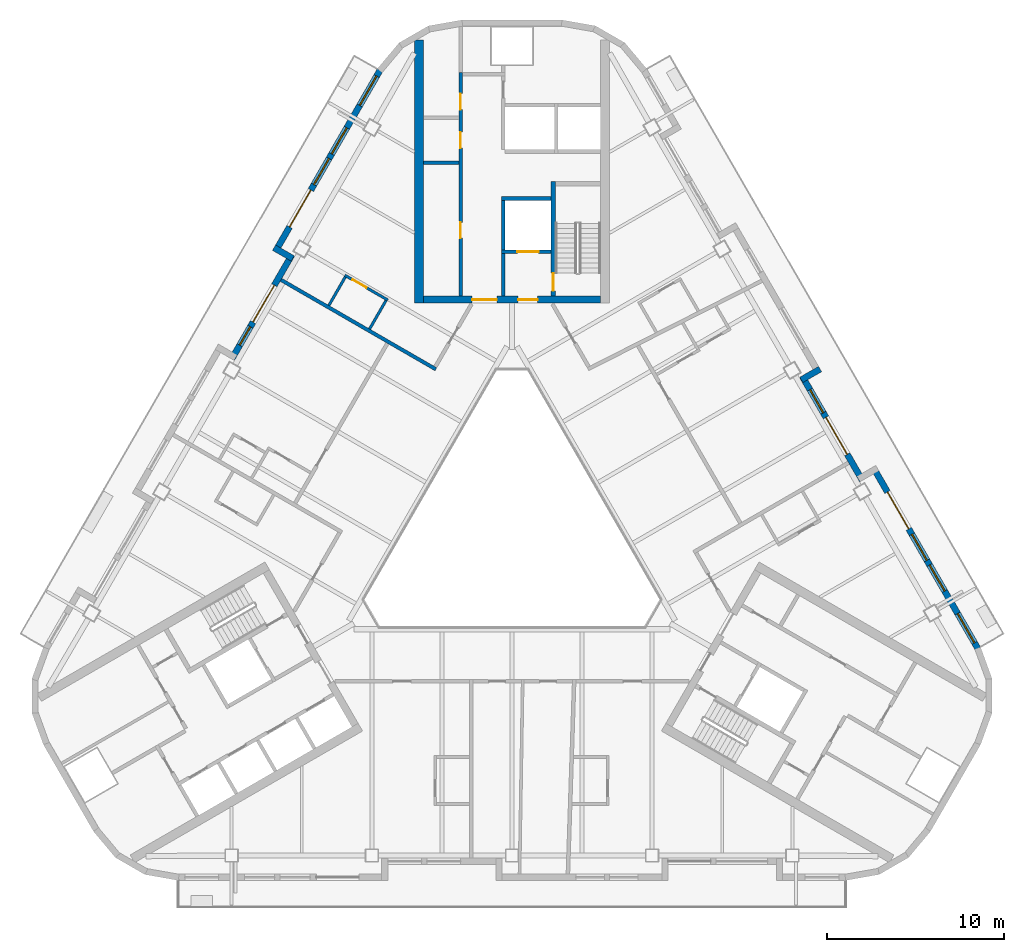
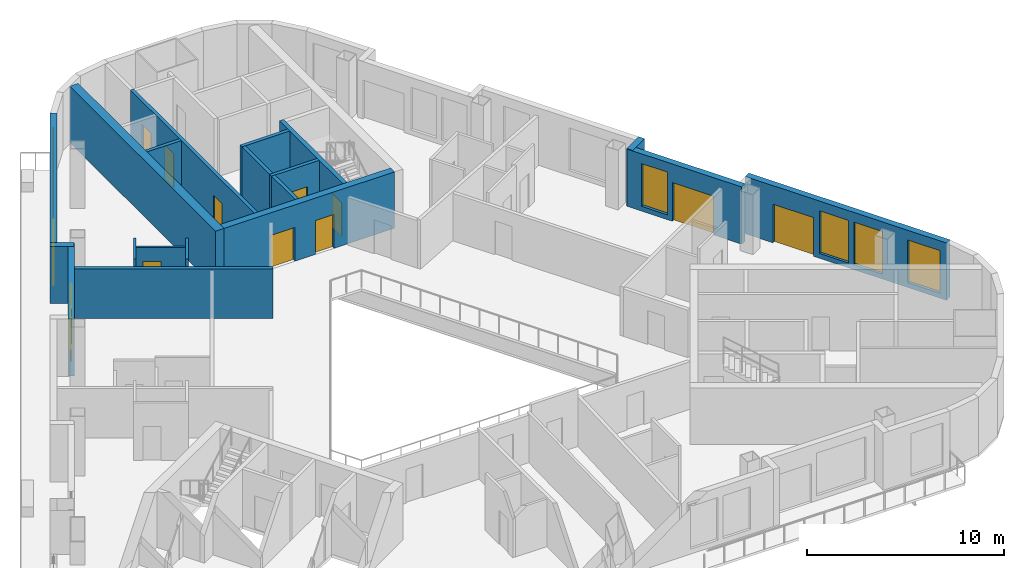
# One storey, part 6 of 14: 19 walls, 12 doors, 8 windows, 20 openings.
"""IFC4 building model written with IfcOpenShell, lengths in metres."""

from ifc_helpers import new_model, si_unit, direction, frame, frame_2d, origin, place, context, subcontext, project, spatial, rectangle, extrude, material, layer, layer_set, type_object, element, fill, save


model = new_model("IFC4")

# Units and contexts
model_context = context("Model", 3, precision=1e-05, world=origin(), true_north=direction((0.0, 1.0)))
body_context = subcontext(model_context, "Body", "Model", "MODEL_VIEW")
ifc_project = project(units=[si_unit("LENGTHUNIT", "METRE"), si_unit("AREAUNIT", "SQUARE_METRE"), si_unit("VOLUMEUNIT", "CUBIC_METRE"), si_unit("PLANEANGLEUNIT", "RADIAN"), si_unit("MASSUNIT", "GRAM", prefix="KILO")], contexts=[model_context])

# Site, building, storey
site_placement = place(None, origin())
site = spatial("IfcSite", under=ifc_project, at=site_placement, CompositionType="ELEMENT")
building_placement = place(site_placement, origin())
building = spatial("IfcBuilding", under=site, at=building_placement, Name="Apuvela Tower Hotel", CompositionType="ELEMENT")
storey_placement = place(building_placement, frame((0.0, 0.0, 209.5)))
storey = spatial("IfcBuildingStorey", under=building, at=storey_placement, Name="L51", CompositionType="ELEMENT", Elevation=209.5)

# Wall, openings, doors
ifc_material_1 = material(Name="Concrete C50/60", Category="concrete")
ifc_layer_1 = layer(ifc_material_1, 0.39990234375)
ifc_layer_set_1 = layer_set([ifc_layer_1], Name="COR-WALL-CORE-400")
wall_type_1 = type_object("IfcWallType", Name="COR-WALL-CORE-400", PredefinedType="SHEAR", material=ifc_layer_set_1)
wall_1_placement = place(storey_placement, frame((5.0, 13.10009765625, 0.0), z_axis=(0.0, 0.0, 1.0), x_axis=(-1.0, 0.0, 0.0)))
wall_1 = element("IfcWall", 1, at=wall_1_placement, inside=storey, type_object=wall_type_1, Name="Core wall N", PredefinedType="SHEAR", context=body_context, shape_type="SweptSolid", body=[
    extrude(rectangle(XDim=10.0, YDim=0.39990234375, at=frame_2d((5.0, 0.0))), origin(), (0.0, 0.0, 1.0), 3.5),
])
opening_1_placement = place(wall_1_placement, frame((3.550048828125, 0.0, 0.0)))
opening_1 = element("IfcOpeningElement", 2, at=opening_1_placement, cuts=wall_1, Name="Opening N-FD", PredefinedType="OPENING", context=body_context, shape_type="SweptSolid", body=[
    extrude(rectangle(XDim=1.10009765625, YDim=2.10009765625, at=frame_2d((0.550048828125, 1.050048828125))), frame((0.0, 0.2099609375, 0.0), z_axis=(0.0, -1.0, 0.0), x_axis=(1.0, 0.0, 0.0)), (0.0, 0.0, 1.0), 0.419921875),
])
opening_2_placement = place(wall_1_placement, frame((5.85009765625, 0.0, 0.0)))
opening_2 = element("IfcOpeningElement", 3, at=opening_2_placement, cuts=wall_1, Name="Opening N-GD", PredefinedType="OPENING", context=body_context, shape_type="SweptSolid", body=[
    extrude(rectangle(XDim=1.39990234375, YDim=2.10009765625, at=frame_2d((0.699951171875, 1.050048828125))), frame((0.0, 0.2099609375, 0.0), z_axis=(0.0, -1.0, 0.0), x_axis=(1.0, 0.0, 0.0)), (0.0, 0.0, 1.0), 0.419921875),
])
ifc_material_2 = material(Name="Steel fire door, powder coated", Category="steel")
door_type_1 = type_object("IfcDoorType", Name="COR-FD-1100", OperationType="NOTDEFINED", PredefinedType="DOOR", material=ifc_material_2)
door_1_placement = place(opening_1_placement, frame((1.10009765625, 0.0, 0.0), z_axis=(0.0, 0.0, 1.0), x_axis=(-1.0, 0.0, 0.0)))
door_1 = element("IfcDoor", 4, at=door_1_placement, inside=storey, type_object=door_type_1, Name="Firefighting lobby door N-FD", OperationType="SINGLE_SWING_LEFT", OverallHeight=2.10009765625, OverallWidth=1.10009765625, PredefinedType="DOOR", context=body_context, shape_type="SweptSolid", body=[
    extrude(rectangle(XDim=1.10009765625, YDim=2.10009765625, at=frame_2d((0.550048828125, 1.050048828125))), frame((0.0, 0.02490234375, 0.0), z_axis=(0.0, -1.0, 0.0), x_axis=(1.0, 0.0, 0.0)), (0.0, 0.0, 1.0), 0.050048828125),
])
fill(opening_1, door_1)
ifc_material_3 = material(Name="Glazed steel fire door", Category="steel")
door_type_2 = type_object("IfcDoorType", Name="COR-GD-1400", OperationType="DOUBLE_DOOR_SINGLE_SWING", PredefinedType="DOOR", material=ifc_material_3)
door_2_placement = place(opening_2_placement, frame((1.39990234375, 0.0, 0.0), z_axis=(0.0, 0.0, 1.0), x_axis=(-1.0, 0.0, 0.0)))
door_2 = element("IfcDoor", 5, at=door_2_placement, inside=storey, type_object=door_type_2, Name="Lift lobby door N-GD", OperationType="DOUBLE_DOOR_SINGLE_SWING", OverallHeight=2.10009765625, OverallWidth=1.39990234375, PredefinedType="DOOR", context=body_context, shape_type="SweptSolid", body=[
    extrude(rectangle(XDim=1.39990234375, YDim=2.10009765625, at=frame_2d((0.699951171875, 1.050048828125))), frame((0.0, 0.02490234375, 0.0), z_axis=(0.0, -1.0, 0.0), x_axis=(1.0, 0.0, 0.0)), (0.0, 0.0, 1.0), 0.050048828125),
])
fill(opening_2, door_2)

# Walls
ifc_layer_2 = layer(ifc_material_1, 0.5)
ifc_layer_set_2 = layer_set([ifc_layer_2], Name="COR-WALL-CORE-500")
wall_type_2 = type_object("IfcWallType", Name="COR-WALL-CORE-500", PredefinedType="SHEAR", material=ifc_layer_set_2)
wall_2_placement = place(storey_placement, frame((-5.25, 12.89990234375, 0.0), z_axis=(0.0, 0.0, 1.0), x_axis=(0.0, 1.0, 0.0)))
element("IfcWall", 6, at=wall_2_placement, inside=storey, type_object=wall_type_2, Name="Core wall N", PredefinedType="SHEAR", context=body_context, shape_type="SweptSolid", body=[
    extrude(rectangle(XDim=14.8369140625, YDim=0.5, at=frame_2d((7.41845703125, 0.0))), origin(), (0.0, 0.0, 1.0), 3.5),
])
ifc_layer_3 = layer(ifc_material_1, 0.199951171875)
ifc_layer_set_3 = layer_set([ifc_layer_3], Name="COR-WALL-SHAFT-200")
wall_type_3 = type_object("IfcWallType", Name="COR-WALL-SHAFT-200", PredefinedType="SHEAR", material=ifc_layer_set_3)
wall_3_placement = place(storey_placement, frame((2.199951171875, 18.800048828125, 0.0), z_axis=(0.0, 0.0, 1.0), x_axis=(-1.0, 0.0, 0.0)))
element("IfcWall", 7, at=wall_3_placement, inside=storey, type_object=wall_type_3, Name="Shaft wall N", PredefinedType="SHEAR", context=body_context, shape_type="SweptSolid", body=[
    extrude(rectangle(XDim=2.800048828125, YDim=0.199951171875, at=frame_2d((1.39990234375, 0.0))), origin(), (0.0, 0.0, 1.0), 3.5),
])

# Wall, opening, door
wall_4_placement = place(storey_placement, frame((2.199951171875, 15.800048828125, 0.0), z_axis=(0.0, 0.0, 1.0), x_axis=(-1.0, 0.0, 0.0)))
wall_4 = element("IfcWall", 8, at=wall_4_placement, inside=storey, type_object=wall_type_3, Name="Shaft wall N", PredefinedType="SHEAR", context=body_context, shape_type="SweptSolid", body=[
    extrude(rectangle(XDim=2.800048828125, YDim=0.199951171875, at=frame_2d((1.39990234375, 0.0))), origin(), (0.0, 0.0, 1.0), 3.5),
])
opening_3_placement = place(wall_4_placement, frame((0.699951171875, 0.0, 0.0)))
opening_3 = element("IfcOpeningElement", 9, at=opening_3_placement, cuts=wall_4, Name="Opening N-LD-FS1", PredefinedType="OPENING", context=body_context, shape_type="SweptSolid", body=[
    extrude(rectangle(XDim=1.199951171875, YDim=2.10009765625, at=frame_2d((0.60009765625, 1.050048828125))), frame((0.0, 0.10986328125, 0.0), z_axis=(0.0, -1.0, 0.0), x_axis=(1.0, 0.0, 0.0)), (0.0, 0.0, 1.0), 0.219970703125),
])
ifc_material_4 = material(Name="Stainless steel lift landing door", Category="steel")
door_type_3 = type_object("IfcDoorType", Name="COR-LD-1200", OperationType="DOUBLE_DOOR_SLIDING", PredefinedType="DOOR", material=ifc_material_4)
door_3_placement = place(opening_3_placement, origin())
door_3 = element("IfcDoor", 10, at=door_3_placement, inside=storey, type_object=door_type_3, Name="Lift landing door N-LD-FS1", OperationType="DOUBLE_DOOR_SLIDING", OverallHeight=2.10009765625, OverallWidth=1.199951171875, PredefinedType="DOOR", context=body_context, shape_type="SweptSolid", body=[
    extrude(rectangle(XDim=1.199951171875, YDim=2.10009765625, at=frame_2d((0.60009765625, 1.050048828125))), frame((0.0, 0.02490234375, 0.0), z_axis=(0.0, -1.0, 0.0), x_axis=(1.0, 0.0, 0.0)), (0.0, 0.0, 1.0), 0.050048828125),
])
fill(opening_3, door_3)

# Walls
wall_5_placement = place(storey_placement, frame((-0.5, 15.89990234375, 0.0), z_axis=(0.0, 0.0, 1.0), x_axis=(0.0, 1.0, 0.0)))
element("IfcWall", 11, at=wall_5_placement, inside=storey, type_object=wall_type_3, Name="Shaft wall N", PredefinedType="SHEAR", context=body_context, shape_type="SweptSolid", body=[
    extrude(rectangle(XDim=2.800048828125, YDim=0.199951171875, at=frame_2d((1.39990234375, 0.0))), origin(), (0.0, 0.0, 1.0), 3.5),
])
wall_6_placement = place(storey_placement, frame((-0.5, 13.300048828125, 0.0), z_axis=(0.0, 0.0, 1.0), x_axis=(0.0, 1.0, 0.0)))
element("IfcWall", 12, at=wall_6_placement, inside=storey, type_object=wall_type_3, Name="Shaft wall N", PredefinedType="SHEAR", context=body_context, shape_type="SweptSolid", body=[
    extrude(rectangle(XDim=2.39990234375, YDim=0.199951171875, at=frame_2d((1.199951171875, 0.0))), origin(), (0.0, 0.0, 1.0), 3.5),
])

# Wall, openings, doors
wall_7_placement = place(storey_placement, frame((-2.89990234375, 13.300048828125, 0.0), z_axis=(0.0, 0.0, 1.0), x_axis=(0.0, 1.0, 0.0)))
wall_7 = element("IfcWall", 13, at=wall_7_placement, inside=storey, type_object=wall_type_3, Name="Shaft wall N", PredefinedType="SHEAR", context=body_context, shape_type="SweptSolid", body=[
    extrude(rectangle(XDim=12.599853515625, YDim=0.199951171875, at=frame_2d((6.2998046875, 0.0))), origin(), (0.0, 0.0, 1.0), 3.5),
])
opening_4_placement = place(wall_7_placement, frame((3.260009765625, 0.0, 0.0)))
opening_4 = element("IfcOpeningElement", 14, at=opening_4_placement, cuts=wall_7, Name="Opening N-RE1", PredefinedType="OPENING", context=body_context, shape_type="SweptSolid", body=[
    extrude(rectangle(XDim=0.89990234375, YDim=2.10009765625, at=frame_2d((0.449951171875, 1.050048828125))), frame((0.0, 0.10986328125, 0.0), z_axis=(0.0, -1.0, 0.0), x_axis=(1.0, 0.0, 0.0)), (0.0, 0.0, 1.0), 0.219970703125),
])
opening_5_placement = place(wall_7_placement, frame((8.340087890625, 0.0, 0.0)))
opening_5 = element("IfcOpeningElement", 15, at=opening_5_placement, cuts=wall_7, Name="Opening N-RE4", PredefinedType="OPENING", context=body_context, shape_type="SweptSolid", body=[
    extrude(rectangle(XDim=0.89990234375, YDim=2.10009765625, at=frame_2d((0.449951171875, 1.050048828125))), frame((0.0, 0.10986328125, 0.0), z_axis=(0.0, -1.0, 0.0), x_axis=(1.0, 0.0, 0.0)), (0.0, 0.0, 1.0), 0.219970703125),
])
opening_6_placement = place(wall_7_placement, frame((10.510009765625, 0.0, 0.0)))
opening_6 = element("IfcOpeningElement", 16, at=opening_6_placement, cuts=wall_7, Name="Opening N-REP", PredefinedType="OPENING", context=body_context, shape_type="SweptSolid", body=[
    extrude(rectangle(XDim=0.89990234375, YDim=2.10009765625, at=frame_2d((0.449951171875, 1.050048828125))), frame((0.0, 0.10986328125, 0.0), z_axis=(0.0, -1.0, 0.0), x_axis=(1.0, 0.0, 0.0)), (0.0, 0.0, 1.0), 0.219970703125),
])
door_type_4 = type_object("IfcDoorType", Name="COR-DR-900", OperationType="NOTDEFINED", PredefinedType="DOOR", material=ifc_material_2)
door_4_placement = place(opening_4_placement, origin())
door_4 = element("IfcDoor", 17, at=door_4_placement, inside=storey, type_object=door_type_4, Name="Store door N-RE1", OperationType="SINGLE_SWING_LEFT", OverallHeight=2.10009765625, OverallWidth=0.89990234375, PredefinedType="DOOR", context=body_context, shape_type="SweptSolid", body=[
    extrude(rectangle(XDim=0.89990234375, YDim=2.10009765625, at=frame_2d((0.449951171875, 1.050048828125))), frame((0.0, 0.02490234375, 0.0), z_axis=(0.0, -1.0, 0.0), x_axis=(1.0, 0.0, 0.0)), (0.0, 0.0, 1.0), 0.050048828125),
])
fill(opening_4, door_4)
door_5_placement = place(opening_5_placement, origin())
door_5 = element("IfcDoor", 18, at=door_5_placement, inside=storey, type_object=door_type_4, Name="Store door N-RE4", OperationType="SINGLE_SWING_LEFT", OverallHeight=2.10009765625, OverallWidth=0.89990234375, PredefinedType="DOOR", context=body_context, shape_type="SweptSolid", body=[
    extrude(rectangle(XDim=0.89990234375, YDim=2.10009765625, at=frame_2d((0.449951171875, 1.050048828125))), frame((0.0, 0.02490234375, 0.0), z_axis=(0.0, -1.0, 0.0), x_axis=(1.0, 0.0, 0.0)), (0.0, 0.0, 1.0), 0.050048828125),
])
fill(opening_5, door_5)
door_6_placement = place(opening_6_placement, origin())
door_6 = element("IfcDoor", 19, at=door_6_placement, inside=storey, type_object=door_type_4, Name="Store door N-REP", OperationType="SINGLE_SWING_RIGHT", OverallHeight=2.10009765625, OverallWidth=0.89990234375, PredefinedType="DOOR", context=body_context, shape_type="SweptSolid", body=[
    extrude(rectangle(XDim=0.89990234375, YDim=2.10009765625, at=frame_2d((0.449951171875, 1.050048828125))), frame((0.0, 0.02490234375, 0.0), z_axis=(0.0, -1.0, 0.0), x_axis=(1.0, 0.0, 0.0)), (0.0, 0.0, 1.0), 0.050048828125),
])
fill(opening_6, door_6)

# Wall
wall_8_placement = place(storey_placement, frame((-3.0, 20.820068359375, 0.0), z_axis=(0.0, 0.0, 1.0), x_axis=(-1.0, 0.0, 0.0)))
element("IfcWall", 20, at=wall_8_placement, inside=storey, type_object=wall_type_3, Name="Shaft wall N", PredefinedType="SHEAR", context=body_context, shape_type="SweptSolid", body=[
    extrude(rectangle(XDim=2.0, YDim=0.199951171875, at=frame_2d((1.0, 0.0))), origin(), (0.0, 0.0, 1.0), 3.5),
])

# Wall, opening, door
ifc_layer_4 = layer(ifc_material_1, 0.25)
ifc_layer_set_4 = layer_set([ifc_layer_4], Name="COR-WALL-STAIR-250")
wall_type_4 = type_object("IfcWallType", Name="COR-WALL-STAIR-250", PredefinedType="SHEAR", material=ifc_layer_set_4)
wall_9_placement = place(storey_placement, frame((2.324951171875, 13.300048828125, 0.0), z_axis=(0.0, 0.0, 1.0), x_axis=(0.0, 1.0, 0.0)))
wall_9 = element("IfcWall", 21, at=wall_9_placement, inside=storey, type_object=wall_type_4, Name="Stair wall N", PredefinedType="SHEAR", context=body_context, shape_type="SweptSolid", body=[
    extrude(rectangle(XDim=6.449951171875, YDim=0.25, at=frame_2d((3.22509765625, 0.0))), origin(), (0.0, 0.0, 1.0), 3.5),
])
opening_7_placement = place(wall_9_placement, frame((0.300048828125, 0.0, 0.0)))
opening_7 = element("IfcOpeningElement", 22, at=opening_7_placement, cuts=wall_9, Name="Opening N-SD", PredefinedType="OPENING", context=body_context, shape_type="SweptSolid", body=[
    extrude(rectangle(XDim=1.0, YDim=2.10009765625, at=frame_2d((0.5, 1.050048828125))), frame((0.0, 0.135009765625, 0.0), z_axis=(0.0, -1.0, 0.0), x_axis=(1.0, 0.0, 0.0)), (0.0, 0.0, 1.0), 0.27001953125),
])
door_type_5 = type_object("IfcDoorType", Name="COR-SD-1000", OperationType="NOTDEFINED", PredefinedType="DOOR", material=ifc_material_2)
door_7_placement = place(opening_7_placement, frame((1.0, 0.0, 0.0), z_axis=(0.0, 0.0, 1.0), x_axis=(-1.0, 0.0, 0.0)))
door_7 = element("IfcDoor", 23, at=door_7_placement, inside=storey, type_object=door_type_5, Name="Stair door N-SD", OperationType="SINGLE_SWING_LEFT", OverallHeight=2.10009765625, OverallWidth=1.0, PredefinedType="DOOR", context=body_context, shape_type="SweptSolid", body=[
    extrude(rectangle(XDim=1.0, YDim=2.10009765625, at=frame_2d((0.5, 1.050048828125))), frame((0.0, 0.02490234375, 0.0), z_axis=(0.0, -1.0, 0.0), x_axis=(1.0, 0.0, 0.0)), (0.0, 0.0, 1.0), 0.050048828125),
])
fill(opening_7, door_7)

# Wall, openings, door, windows
ifc_material_5 = material(Name="Concrete C40/50, dark pigmented precast panel", Category="concrete")
ifc_layer_5 = layer(ifc_material_5, 0.35009765625)
ifc_layer_set_5 = layer_set([ifc_layer_5], Name="ENV-WALL-350")
wall_type_5 = type_object("IfcWallType", Name="ENV-WALL-350", PredefinedType="SOLIDWALL", material=ifc_layer_set_5)
wall_10_placement = place(storey_placement, frame((-7.440673828125, 26.0224609375, 0.0), z_axis=(0.0, 0.0, 1.0), x_axis=(-0.499992533062, -0.86602971478, 0.0)))
wall_10 = element("IfcWall", 24, at=wall_10_placement, inside=storey, type_object=wall_type_5, Name="External wall L51-01", PredefinedType="SOLIDWALL", context=body_context, shape_type="SweptSolid", body=[
    extrude(rectangle(XDim=11.815673828125, YDim=0.35009765625, at=frame_2d((5.90771484375, 0.0))), origin(), (0.0, 0.0, 1.0), 3.550048828125),
])
opening_8_placement = place(wall_10_placement, frame((0.381103515625, 0.0, 0.300048828125)))
opening_8 = element("IfcOpeningElement", 25, at=opening_8_placement, cuts=wall_10, Name="Opening WN19", PredefinedType="OPENING", context=body_context, shape_type="SweptSolid", body=[
    extrude(rectangle(XDim=1.89990234375, YDim=2.64990234375, at=frame_2d((0.949951171875, 1.324951171875))), frame((0.0, 0.18505859375, 0.0), z_axis=(0.0, -1.0, 0.0), x_axis=(1.0, 0.0, 0.0)), (0.0, 0.0, 1.0), 0.3701171875),
])
opening_9_placement = place(wall_10_placement, frame((7.79052734375, 0.0, 0.0)))
opening_9 = element("IfcOpeningElement", 26, at=opening_9_placement, cuts=wall_10, Name="Opening BD24", PredefinedType="OPENING", context=body_context, shape_type="SweptSolid", body=[
    extrude(rectangle(XDim=2.39990234375, YDim=2.39990234375, at=frame_2d((1.199951171875, 1.199951171875))), frame((0.0, 0.18505859375, 0.0), z_axis=(0.0, -1.0, 0.0), x_axis=(1.0, 0.0, 0.0)), (0.0, 0.0, 1.0), 0.3701171875),
])
opening_10_placement = place(wall_10_placement, frame((3.7412109375, 0.0, 0.300048828125)))
opening_10 = element("IfcOpeningElement", 27, at=opening_10_placement, cuts=wall_10, Name="Opening WN17", PredefinedType="OPENING", context=body_context, shape_type="SweptSolid", body=[
    extrude(rectangle(XDim=1.699951171875, YDim=2.64990234375, at=frame_2d((0.85009765625, 1.324951171875))), frame((0.0, 0.18505859375, 0.0), z_axis=(0.0, -1.0, 0.0), x_axis=(1.0, 0.0, 0.0)), (0.0, 0.0, 1.0), 0.3701171875),
])
opening_11_placement = place(wall_10_placement, frame((5.7412109375, 0.0, 0.300048828125)))
opening_11 = element("IfcOpeningElement", 28, at=opening_11_placement, cuts=wall_10, Name="Opening WN17", PredefinedType="OPENING", context=body_context, shape_type="SweptSolid", body=[
    extrude(rectangle(XDim=1.699951171875, YDim=2.64990234375, at=frame_2d((0.85009765625, 1.324951171875))), frame((0.0, 0.18505859375, 0.0), z_axis=(0.0, -1.0, 0.0), x_axis=(1.0, 0.0, 0.0)), (0.0, 0.0, 1.0), 0.3701171875),
])
ifc_material_6 = material(Name="Aluminium 6063-T6, dark bronze anodised frame with dark tinted laminated glass", Category="aluminium")
door_type_6 = type_object("IfcDoorType", Name="ENV-DOOR-BALCONY-2400x2400", OperationType="SLIDING_TO_LEFT", PredefinedType="DOOR", material=ifc_material_6)
door_8_placement = place(opening_9_placement, frame((2.39990234375, 0.0, 0.0), z_axis=(0.0, 0.0, 1.0), x_axis=(-1.0, 0.0, 0.0)))
door_8 = element("IfcDoor", 29, at=door_8_placement, inside=storey, type_object=door_type_6, Name="Balcony door BD24", OperationType="SLIDING_TO_LEFT", OverallHeight=2.39990234375, OverallWidth=2.39990234375, PredefinedType="DOOR", context=body_context, shape_type="SweptSolid", body=[
    extrude(rectangle(XDim=2.39990234375, YDim=2.39990234375, at=frame_2d((1.199951171875, 1.199951171875))), frame((0.0, 0.02490234375, 0.0), z_axis=(0.0, -1.0, 0.0), x_axis=(1.0, 0.0, 0.0)), (0.0, 0.0, 1.0), 0.050048828125),
])
fill(opening_9, door_8)
ifc_material_7 = material(Name="Glass, dark tinted laminated insulated glazing unit", Category="glass")
window_type_1 = type_object("IfcWindowType", Name="ENV-WIN-1700x2650", PartitioningType="SINGLE_PANEL", PredefinedType="WINDOW", material=ifc_material_7)
window_1_placement = place(opening_10_placement, origin())
window_1 = element("IfcWindow", 30, at=window_1_placement, inside=storey, type_object=window_type_1, Name="Window WN17", OverallHeight=2.64990234375, OverallWidth=1.699951171875, PartitioningType="SINGLE_PANEL", PredefinedType="WINDOW", context=body_context, shape_type="SweptSolid", body=[
    extrude(rectangle(XDim=1.699951171875, YDim=2.64990234375, at=frame_2d((0.85009765625, 1.324951171875))), frame((0.0, 0.030029296875, 0.0), z_axis=(0.0, -1.0, 0.0), x_axis=(1.0, 0.0, 0.0)), (0.0, 0.0, 1.0), 0.06005859375),
])
fill(opening_10, window_1)
window_2_placement = place(opening_11_placement, origin())
window_2 = element("IfcWindow", 31, at=window_2_placement, inside=storey, type_object=window_type_1, Name="Window WN17", OverallHeight=2.64990234375, OverallWidth=1.699951171875, PartitioningType="SINGLE_PANEL", PredefinedType="WINDOW", context=body_context, shape_type="SweptSolid", body=[
    extrude(rectangle(XDim=1.699951171875, YDim=2.64990234375, at=frame_2d((0.85009765625, 1.324951171875))), frame((0.0, 0.030029296875, 0.0), z_axis=(0.0, -1.0, 0.0), x_axis=(1.0, 0.0, 0.0)), (0.0, 0.0, 1.0), 0.06005859375),
])
fill(opening_11, window_2)
window_type_2 = type_object("IfcWindowType", Name="ENV-WIN-1900x2650", PartitioningType="SINGLE_PANEL", PredefinedType="WINDOW", material=ifc_material_7)
window_3_placement = place(opening_8_placement, origin())
window_3 = element("IfcWindow", 32, at=window_3_placement, inside=storey, type_object=window_type_2, Name="Window WN19", OverallHeight=2.64990234375, OverallWidth=1.89990234375, PartitioningType="SINGLE_PANEL", PredefinedType="WINDOW", context=body_context, shape_type="SweptSolid", body=[
    extrude(rectangle(XDim=1.89990234375, YDim=2.64990234375, at=frame_2d((0.949951171875, 1.324951171875))), frame((0.0, 0.030029296875, 0.0), z_axis=(0.0, -1.0, 0.0), x_axis=(1.0, 0.0, 0.0)), (0.0, 0.0, 1.0), 0.06005859375),
])
fill(opening_8, window_3)

# Wall
wall_11_placement = place(storey_placement, frame((-13.41259765625, 16.02880859375, 0.0), z_axis=(0.0, 0.0, 1.0), x_axis=(0.866005645448, -0.500034220881, 0.0)))
element("IfcWall", 33, at=wall_11_placement, inside=storey, type_object=wall_type_5, Name="External wall L51-02", PredefinedType="SOLIDWALL", context=body_context, shape_type="SweptSolid", body=[
    extrude(rectangle(XDim=1.22021484375, YDim=0.35009765625, at=frame_2d((0.610107421875, 0.0))), origin(), (0.0, 0.0, 1.0), 3.550048828125),
])

# Wall, openings, door, window
wall_12_placement = place(storey_placement, frame((-12.408935546875, 15.616943359375, 0.0), z_axis=(0.0, 0.0, 1.0), x_axis=(-0.500003597184, -0.866023326939, 0.0)))
wall_12 = element("IfcWall", 34, at=wall_12_placement, inside=storey, type_object=wall_type_5, Name="External wall L51-03", PredefinedType="SOLIDWALL", context=body_context, shape_type="SweptSolid", body=[
    extrude(rectangle(XDim=6.740234375, YDim=0.35009765625, at=frame_2d((3.3701171875, 0.0))), origin(), (0.0, 0.0, 1.0), 3.550048828125),
])
opening_12_placement = place(wall_12_placement, frame((1.970458984375, 0.0, 0.0)))
opening_12 = element("IfcOpeningElement", 35, at=opening_12_placement, cuts=wall_12, Name="Opening BD24", PredefinedType="OPENING", context=body_context, shape_type="SweptSolid", body=[
    extrude(rectangle(XDim=2.39990234375, YDim=2.39990234375, at=frame_2d((1.199951171875, 1.199951171875))), frame((0.0, 0.18505859375, 0.0), z_axis=(0.0, -1.0, 0.0), x_axis=(1.0, 0.0, 0.0)), (0.0, 0.0, 1.0), 0.3701171875),
])
opening_13_placement = place(wall_12_placement, frame((4.67041015625, 0.0, 0.300048828125)))
opening_13 = element("IfcOpeningElement", 36, at=opening_13_placement, cuts=wall_12, Name="Opening WN12", PredefinedType="OPENING", context=body_context, shape_type="SweptSolid", body=[
    extrude(rectangle(XDim=1.199951171875, YDim=2.64990234375, at=frame_2d((0.60009765625, 1.324951171875))), frame((0.0, 0.18505859375, 0.0), z_axis=(0.0, -1.0, 0.0), x_axis=(1.0, 0.0, 0.0)), (0.0, 0.0, 1.0), 0.3701171875),
])
door_9_placement = place(opening_12_placement, frame((2.39990234375, 0.0, 0.0), z_axis=(0.0, 0.0, 1.0), x_axis=(-1.0, 0.0, 0.0)))
door_9 = element("IfcDoor", 37, at=door_9_placement, inside=storey, type_object=door_type_6, Name="Balcony door BD24", OperationType="SLIDING_TO_LEFT", OverallHeight=2.39990234375, OverallWidth=2.39990234375, PredefinedType="DOOR", context=body_context, shape_type="SweptSolid", body=[
    extrude(rectangle(XDim=2.39990234375, YDim=2.39990234375, at=frame_2d((1.199951171875, 1.199951171875))), frame((0.0, 0.02490234375, 0.0), z_axis=(0.0, -1.0, 0.0), x_axis=(1.0, 0.0, 0.0)), (0.0, 0.0, 1.0), 0.050048828125),
])
fill(opening_12, door_9)
window_type_3 = type_object("IfcWindowType", Name="ENV-WIN-1200x2650", PartitioningType="SINGLE_PANEL", PredefinedType="WINDOW", material=ifc_material_7)
window_4_placement = place(opening_13_placement, origin())
window_4 = element("IfcWindow", 38, at=window_4_placement, inside=storey, type_object=window_type_3, Name="Window WN12", OverallHeight=2.64990234375, OverallWidth=1.199951171875, PartitioningType="SINGLE_PANEL", PredefinedType="WINDOW", context=body_context, shape_type="SweptSolid", body=[
    extrude(rectangle(XDim=1.199951171875, YDim=2.64990234375, at=frame_2d((0.60009765625, 1.324951171875))), frame((0.0, 0.030029296875, 0.0), z_axis=(0.0, -1.0, 0.0), x_axis=(1.0, 0.0, 0.0)), (0.0, 0.0, 1.0), 0.06005859375),
])
fill(opening_13, window_4)

# Wall, openings, door, windows
wall_13_placement = place(storey_placement, frame((26.256591796875, -6.5673828125, 0.0), z_axis=(0.0, 0.0, 1.0), x_axis=(-0.500023526245, 0.866011820475, 0.0)))
wall_13 = element("IfcWall", 39, at=wall_13_placement, inside=storey, type_object=wall_type_5, Name="External wall L51-33", PredefinedType="SOLIDWALL", context=body_context, shape_type="SweptSolid", body=[
    extrude(rectangle(XDim=11.81591796875, YDim=0.35009765625, at=frame_2d((5.907958984375, 0.0))), origin(), (0.0, 0.0, 1.0), 3.550048828125),
])
opening_14_placement = place(wall_13_placement, frame((0.380126953125, 0.0, 0.300048828125)))
opening_14 = element("IfcOpeningElement", 40, at=opening_14_placement, cuts=wall_13, Name="Opening WN19", PredefinedType="OPENING", context=body_context, shape_type="SweptSolid", body=[
    extrude(rectangle(XDim=1.89990234375, YDim=2.64990234375, at=frame_2d((0.949951171875, 1.324951171875))), frame((0.0, 0.18505859375, 0.0), z_axis=(0.0, -1.0, 0.0), x_axis=(1.0, 0.0, 0.0)), (0.0, 0.0, 1.0), 0.3701171875),
])
opening_15_placement = place(wall_13_placement, frame((7.791015625, 0.0, 0.0)))
opening_15 = element("IfcOpeningElement", 41, at=opening_15_placement, cuts=wall_13, Name="Opening BD24", PredefinedType="OPENING", context=body_context, shape_type="SweptSolid", body=[
    extrude(rectangle(XDim=2.39990234375, YDim=2.39990234375, at=frame_2d((1.199951171875, 1.199951171875))), frame((0.0, 0.18505859375, 0.0), z_axis=(0.0, -1.0, 0.0), x_axis=(1.0, 0.0, 0.0)), (0.0, 0.0, 1.0), 0.3701171875),
])
opening_16_placement = place(wall_13_placement, frame((3.74072265625, 0.0, 0.300048828125)))
opening_16 = element("IfcOpeningElement", 42, at=opening_16_placement, cuts=wall_13, Name="Opening WN17", PredefinedType="OPENING", context=body_context, shape_type="SweptSolid", body=[
    extrude(rectangle(XDim=1.699951171875, YDim=2.64990234375, at=frame_2d((0.85009765625, 1.324951171875))), frame((0.0, 0.18505859375, 0.0), z_axis=(0.0, -1.0, 0.0), x_axis=(1.0, 0.0, 0.0)), (0.0, 0.0, 1.0), 0.3701171875),
])
opening_17_placement = place(wall_13_placement, frame((5.74072265625, 0.0, 0.300048828125)))
opening_17 = element("IfcOpeningElement", 43, at=opening_17_placement, cuts=wall_13, Name="Opening WN17", PredefinedType="OPENING", context=body_context, shape_type="SweptSolid", body=[
    extrude(rectangle(XDim=1.699951171875, YDim=2.64990234375, at=frame_2d((0.85009765625, 1.324951171875))), frame((0.0, 0.18505859375, 0.0), z_axis=(0.0, -1.0, 0.0), x_axis=(1.0, 0.0, 0.0)), (0.0, 0.0, 1.0), 0.3701171875),
])
door_10_placement = place(opening_15_placement, frame((2.39990234375, 0.0, 0.0), z_axis=(0.0, 0.0, 1.0), x_axis=(-1.0, 0.0, 0.0)))
door_10 = element("IfcDoor", 44, at=door_10_placement, inside=storey, type_object=door_type_6, Name="Balcony door BD24", OperationType="SLIDING_TO_LEFT", OverallHeight=2.39990234375, OverallWidth=2.39990234375, PredefinedType="DOOR", context=body_context, shape_type="SweptSolid", body=[
    extrude(rectangle(XDim=2.39990234375, YDim=2.39990234375, at=frame_2d((1.199951171875, 1.199951171875))), frame((0.0, 0.02490234375, 0.0), z_axis=(0.0, -1.0, 0.0), x_axis=(1.0, 0.0, 0.0)), (0.0, 0.0, 1.0), 0.050048828125),
])
fill(opening_15, door_10)
window_5_placement = place(opening_16_placement, origin())
window_5 = element("IfcWindow", 45, at=window_5_placement, inside=storey, type_object=window_type_1, Name="Window WN17", OverallHeight=2.64990234375, OverallWidth=1.699951171875, PartitioningType="SINGLE_PANEL", PredefinedType="WINDOW", context=body_context, shape_type="SweptSolid", body=[
    extrude(rectangle(XDim=1.699951171875, YDim=2.64990234375, at=frame_2d((0.85009765625, 1.324951171875))), frame((0.0, 0.030029296875, 0.0), z_axis=(0.0, -1.0, 0.0), x_axis=(1.0, 0.0, 0.0)), (0.0, 0.0, 1.0), 0.06005859375),
])
fill(opening_16, window_5)
window_6_placement = place(opening_17_placement, origin())
window_6 = element("IfcWindow", 46, at=window_6_placement, inside=storey, type_object=window_type_1, Name="Window WN17", OverallHeight=2.64990234375, OverallWidth=1.699951171875, PartitioningType="SINGLE_PANEL", PredefinedType="WINDOW", context=body_context, shape_type="SweptSolid", body=[
    extrude(rectangle(XDim=1.699951171875, YDim=2.64990234375, at=frame_2d((0.85009765625, 1.324951171875))), frame((0.0, 0.030029296875, 0.0), z_axis=(0.0, -1.0, 0.0), x_axis=(1.0, 0.0, 0.0)), (0.0, 0.0, 1.0), 0.06005859375),
])
fill(opening_17, window_6)
window_7_placement = place(opening_14_placement, origin())
window_7 = element("IfcWindow", 47, at=window_7_placement, inside=storey, type_object=window_type_2, Name="Window WN19", OverallHeight=2.64990234375, OverallWidth=1.89990234375, PartitioningType="SINGLE_PANEL", PredefinedType="WINDOW", context=body_context, shape_type="SweptSolid", body=[
    extrude(rectangle(XDim=1.89990234375, YDim=2.64990234375, at=frame_2d((0.949951171875, 1.324951171875))), frame((0.0, 0.030029296875, 0.0), z_axis=(0.0, -1.0, 0.0), x_axis=(1.0, 0.0, 0.0)), (0.0, 0.0, 1.0), 0.06005859375),
])
fill(opening_14, window_7)

# Wall, openings, door, window
wall_14_placement = place(storey_placement, frame((19.72900390625, 2.93798828125, 0.0), z_axis=(0.0, 0.0, 1.0), x_axis=(-0.499976430342, 0.866039011305, 0.0)))
wall_14 = element("IfcWall", 48, at=wall_14_placement, inside=storey, type_object=wall_type_5, Name="External wall L51-35", PredefinedType="SOLIDWALL", context=body_context, shape_type="SweptSolid", body=[
    extrude(rectangle(XDim=6.739990234375, YDim=0.35009765625, at=frame_2d((3.3701171875, 0.0))), origin(), (0.0, 0.0, 1.0), 3.550048828125),
])
opening_18_placement = place(wall_14_placement, frame((1.670166015625, 0.0, 0.0)))
opening_18 = element("IfcOpeningElement", 49, at=opening_18_placement, cuts=wall_14, Name="Opening BD24", PredefinedType="OPENING", context=body_context, shape_type="SweptSolid", body=[
    extrude(rectangle(XDim=2.39990234375, YDim=2.39990234375, at=frame_2d((1.199951171875, 1.199951171875))), frame((0.0, 0.18505859375, 0.0), z_axis=(0.0, -1.0, 0.0), x_axis=(1.0, 0.0, 0.0)), (0.0, 0.0, 1.0), 0.3701171875),
])
opening_19_placement = place(wall_14_placement, frame((4.3701171875, 0.0, 0.300048828125)))
opening_19 = element("IfcOpeningElement", 50, at=opening_19_placement, cuts=wall_14, Name="Opening WN15", PredefinedType="OPENING", context=body_context, shape_type="SweptSolid", body=[
    extrude(rectangle(XDim=1.5, YDim=2.64990234375, at=frame_2d((0.75, 1.324951171875))), frame((0.0, 0.18505859375, 0.0), z_axis=(0.0, -1.0, 0.0), x_axis=(1.0, 0.0, 0.0)), (0.0, 0.0, 1.0), 0.3701171875),
])
door_11_placement = place(opening_18_placement, frame((2.39990234375, 0.0, 0.0), z_axis=(0.0, 0.0, 1.0), x_axis=(-1.0, 0.0, 0.0)))
door_11 = element("IfcDoor", 51, at=door_11_placement, inside=storey, type_object=door_type_6, Name="Balcony door BD24", OperationType="SLIDING_TO_LEFT", OverallHeight=2.39990234375, OverallWidth=2.39990234375, PredefinedType="DOOR", context=body_context, shape_type="SweptSolid", body=[
    extrude(rectangle(XDim=2.39990234375, YDim=2.39990234375, at=frame_2d((1.199951171875, 1.199951171875))), frame((0.0, 0.02490234375, 0.0), z_axis=(0.0, -1.0, 0.0), x_axis=(1.0, 0.0, 0.0)), (0.0, 0.0, 1.0), 0.050048828125),
])
fill(opening_18, door_11)
window_type_4 = type_object("IfcWindowType", Name="ENV-WIN-1500x2650", PartitioningType="SINGLE_PANEL", PredefinedType="WINDOW", material=ifc_material_7)
window_8_placement = place(opening_19_placement, origin())
window_8 = element("IfcWindow", 52, at=window_8_placement, inside=storey, type_object=window_type_4, Name="Window WN15", OverallHeight=2.64990234375, OverallWidth=1.5, PartitioningType="SINGLE_PANEL", PredefinedType="WINDOW", context=body_context, shape_type="SweptSolid", body=[
    extrude(rectangle(XDim=1.5, YDim=2.64990234375, at=frame_2d((0.75, 1.324951171875))), frame((0.0, 0.030029296875, 0.0), z_axis=(0.0, -1.0, 0.0), x_axis=(1.0, 0.0, 0.0)), (0.0, 0.0, 1.0), 0.06005859375),
])
fill(opening_19, window_8)

# Walls
wall_15_placement = place(storey_placement, frame((16.305908203125, 8.5771484375, 0.0), z_axis=(0.0, 0.0, 1.0), x_axis=(0.866092288191, 0.499884134912, 0.0)))
element("IfcWall", 53, at=wall_15_placement, inside=storey, type_object=wall_type_5, Name="External wall L51-36", PredefinedType="SOLIDWALL", context=body_context, shape_type="SweptSolid", body=[
    extrude(rectangle(XDim=1.219970703125, YDim=0.35009765625, at=frame_2d((0.60986328125, 0.0))), origin(), (0.0, 0.0, 1.0), 3.550048828125),
])
ifc_material_8 = material(Name="Gypsum board partition on twin steel stud", Category="steel")
ifc_layer_6 = layer(ifc_material_8, 0.199951171875)
ifc_layer_set_6 = layer_set([ifc_layer_6], Name="GST-PW1")
wall_type_6 = type_object("IfcWallType", Name="GST-PW1", PredefinedType="PARTITIONING", material=ifc_layer_set_6)
wall_16_placement = place(storey_placement, frame((-13.017578125, 14.212890625, 0.0), z_axis=(0.0, 0.0, 1.0), x_axis=(0.866022637375, -0.500004791531, 0.0)))
element("IfcWall", 54, at=wall_16_placement, inside=storey, type_object=wall_type_6, Name="L51 partition 05", PredefinedType="PARTITIONING", context=body_context, shape_type="SweptSolid", body=[
    extrude(rectangle(XDim=10.080078125, YDim=0.199951171875, at=frame_2d((5.0400390625, 0.0))), origin(), (0.0, 0.0, 1.0), 3.06005859375),
])

# Wall, opening, door
ifc_material_9 = material(Name="Moisture-resistant gypsum board wet wall on steel stud", Category="steel")
ifc_layer_7 = layer(ifc_material_9, 0.14990234375)
ifc_layer_set_7 = layer_set([ifc_layer_7], Name="GST-PW3")
wall_type_7 = type_object("IfcWallType", Name="GST-PW3", PredefinedType="PARTITIONING", material=ifc_layer_set_7)
wall_17_placement = place(storey_placement, frame((-6.99951171875, 13.07666015625, 0.0), z_axis=(0.0, 0.0, 1.0), x_axis=(-0.866034573852, 0.49998411664, 0.0)))
wall_17 = element("IfcWall", 55, at=wall_17_placement, inside=storey, type_object=wall_type_7, Name="L51 partition 32", PredefinedType="PARTITIONING", context=body_context, shape_type="SweptSolid", body=[
    extrude(rectangle(XDim=2.7998046875, YDim=0.14990234375, at=frame_2d((1.39990234375, 0.0))), origin(), (0.0, 0.0, 1.0), 2.949951171875),
])
opening_20_placement = place(wall_17_placement, frame((1.39990234375, 0.0, 0.0)))
opening_20 = element("IfcOpeningElement", 56, at=opening_20_placement, cuts=wall_17, Name="Opening GD20-14", PredefinedType="OPENING", context=body_context, shape_type="SweptSolid", body=[
    extrude(rectangle(XDim=0.89990234375, YDim=2.10009765625, at=frame_2d((0.449951171875, 1.050048828125))), frame((0.0, 0.0849609375, 0.0), z_axis=(0.0, -1.0, 0.0), x_axis=(1.0, 0.0, 0.0)), (0.0, 0.0, 1.0), 0.169921875),
])
ifc_material_10 = material(Name="Timber door leaf in steel frame", Category="steel")
door_type_7 = type_object("IfcDoorType", Name="GST-D2", OperationType="NOTDEFINED", PredefinedType="DOOR", material=ifc_material_10)
door_12_placement = place(opening_20_placement, origin())
door_12 = element("IfcDoor", 57, at=door_12_placement, inside=storey, type_object=door_type_7, Name="Door L51-14", OperationType="SINGLE_SWING_RIGHT", OverallHeight=2.10009765625, OverallWidth=0.89990234375, PredefinedType="DOOR", context=body_context, shape_type="SweptSolid", body=[
    extrude(rectangle(XDim=0.89990234375, YDim=2.10009765625, at=frame_2d((0.449951171875, 1.050048828125))), frame((0.0, 0.02490234375, 0.0), z_axis=(0.0, -1.0, 0.0), x_axis=(1.0, 0.0, 0.0)), (0.0, 0.0, 1.0), 0.050048828125),
])
fill(opening_20, door_12)

# Walls
for number, where, z_axis, x_axis, name in (
    (58, (-9.396728515625, 14.374267578125, 0.0), (0.0, 0.0, 1.0), (-0.499985172903, -0.866033964044, 0.0), "L51 partition 33"),
    (59, (-7.101806640625, 13.04931640625, 0.0), (0.0, 0.0, 1.0), (-0.499985172903, -0.866033964044, 0.0), "L51 partition 34"),
):
    element("IfcWall", number, at=place(storey_placement, frame(where, z_axis=z_axis, x_axis=x_axis)), inside=storey, type_object=wall_type_7, Name=name, PredefinedType="PARTITIONING", context=body_context, shape_type="SweptSolid", body=[
        extrude(rectangle(XDim=1.85009765625, YDim=0.14990234375, at=frame_2d((0.925048828125, 0.0))), origin(), (0.0, 0.0, 1.0), 3.550048828125),
    ])

save(model, "model.ifc")
